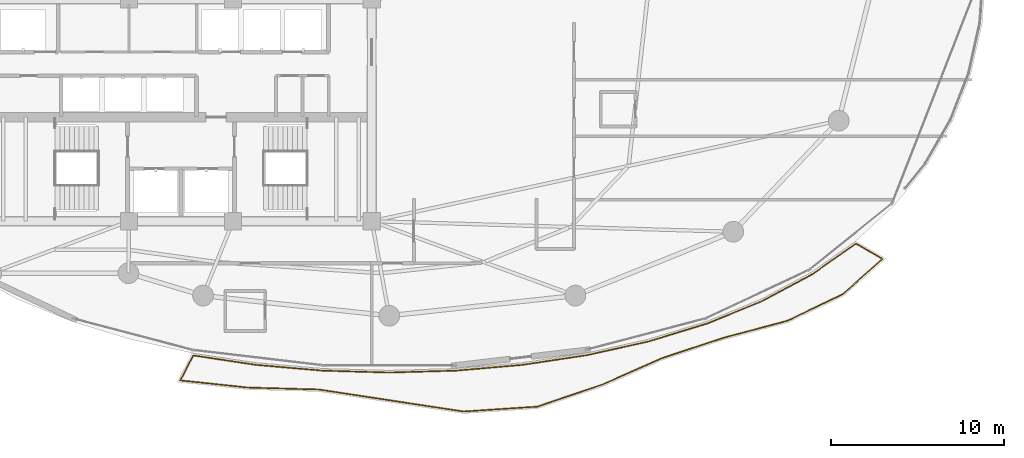
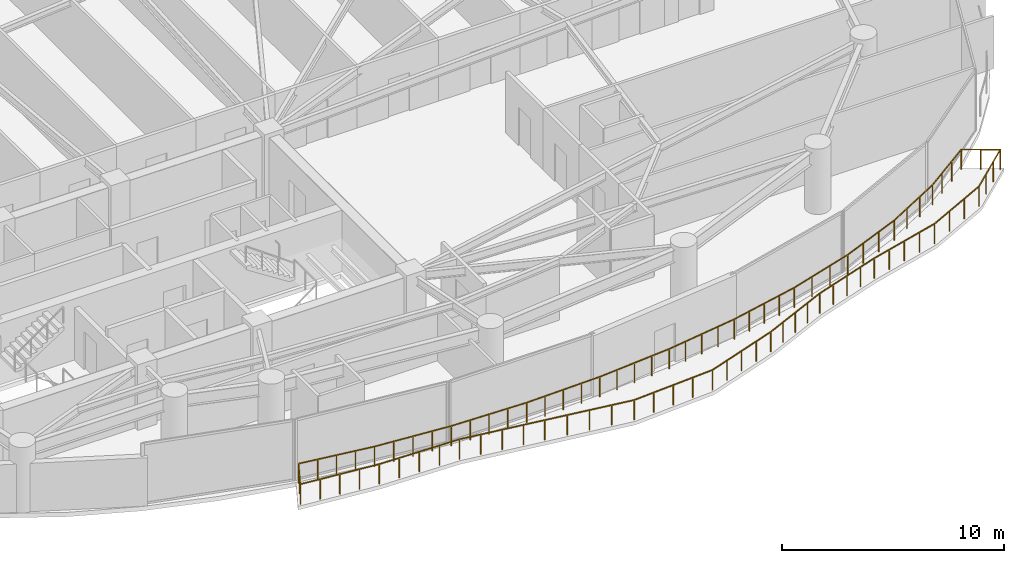
# One storey, part 32 of 34: 1 railing.
"""IFC4 building model written with IfcOpenShell, lengths in metres."""

from ifc_helpers import new_model, si_unit, direction, frame, origin, origin_2d, place, context, subcontext, project, spatial, rectangle, extrude, material, type_object, element, save


model = new_model("IFC4")

# Units and contexts
model_context = context("Model", 3, precision=1e-05, world=origin(), true_north=direction((0.0, 1.0)))
body_context = subcontext(model_context, "Body", "Model", "MODEL_VIEW")
ifc_project = project(units=[si_unit("LENGTHUNIT", "METRE"), si_unit("AREAUNIT", "SQUARE_METRE"), si_unit("VOLUMEUNIT", "CUBIC_METRE"), si_unit("PLANEANGLEUNIT", "RADIAN"), si_unit("MASSUNIT", "GRAM", prefix="KILO")], contexts=[model_context])

# Site, building, storey
site_placement = place(None, origin())
site = spatial("IfcSite", under=ifc_project, at=site_placement, CompositionType="ELEMENT")
building_placement = place(site_placement, origin())
building = spatial("IfcBuilding", under=site, at=building_placement, Name="Kazevale Care Tower and Concert Hall", CompositionType="ELEMENT")
storey_placement = place(building_placement, frame((0.0, 0.0, 163.800048828125)))
storey = spatial("IfcBuildingStorey", under=building, at=storey_placement, Name="L43", CompositionType="ELEMENT", Elevation=163.800048828125)

# Railing
ifc_material = material(Name="Anodised Bronze Aluminium and Laminated Glass", Category="aluminium")
railing_type = type_object("IfcRailingType", Name="Balcony and Terrace Balustrade 1120", PredefinedType="BALUSTRADE", material=ifc_material)
railing_placement = place(storey_placement, frame((33.702880859375, 15.861083984375, 0.0)))
element("IfcRailing", 1, at=railing_placement, inside=storey, type_object=railing_type, Name="rail:L43:balcony", PredefinedType="BALUSTRADE", context=body_context, shape_type="SweptSolid", body=[
    extrude(rectangle(XDim=0.048095703125, YDim=0.048095703125, at=origin_2d()), frame((0.0, 0.0, 1.09619140625), z_axis=(0.988898738041, -0.148591002089, 0.0), x_axis=(0.148591002089, 0.988898738041, 0.0)), (0.0, 0.0, 1.0), 3.6689453125),
    extrude(rectangle(XDim=0.048095703125, YDim=0.048095703125, at=origin_2d()), frame((3.628173828125, -0.545166015625, 1.09619140625), z_axis=(0.996251838222, -0.086500143585, 0.0), x_axis=(0.086500143585, 0.996251838222, 0.0)), (0.0, 0.0, 1.0), 3.824462890625),
    extrude(rectangle(XDim=0.048095703125, YDim=0.048095703125, at=origin_2d()), frame((7.438232421875, -0.8759765625, 1.09619140625), z_axis=(0.999593168995, -0.028521860004, 0.0), x_axis=(0.028521860004, 0.999593168995, 0.0)), (0.0, 0.0, 1.0), 3.8603515625),
    extrude(rectangle(XDim=0.048095703125, YDim=0.048095703125, at=origin_2d()), frame((11.297119140625, -0.986083984375, 1.09619140625), z_axis=(0.999593168995, 0.028521860004, 0.0), x_axis=(-0.028521860004, 0.999593168995, 0.0)), (0.0, 0.0, 1.0), 3.8603515625),
    extrude(rectangle(XDim=0.048095703125, YDim=0.048095703125, at=origin_2d()), frame((15.156005859375, -0.8759765625, 1.09619140625), z_axis=(0.996251838222, 0.086500143585, 0.0), x_axis=(-0.086500143585, 0.996251838222, 0.0)), (0.0, 0.0, 1.0), 3.824462890625),
    extrude(rectangle(XDim=0.048095703125, YDim=0.048095703125, at=origin_2d()), frame((18.966064453125, -0.545166015625, 1.09619140625), z_axis=(0.988903437953, 0.148559719995, 0.0), x_axis=(-0.148559719995, 0.988903437953, 0.0)), (0.0, 0.0, 1.0), 3.7568359375),
    extrude(rectangle(XDim=0.048095703125, YDim=0.048095703125, at=origin_2d()), frame((22.68115234375, 0.012939453125, 1.09619140625), z_axis=(0.9762591871, 0.216605631512, 0.0), x_axis=(-0.216605631512, 0.9762591871, 0.0)), (0.0, 0.0, 1.0), 3.660888671875),
    extrude(rectangle(XDim=0.048095703125, YDim=0.048095703125, at=origin_2d()), frame((26.255126953125, 0.805908203125, 1.09619140625), z_axis=(0.956153868694, 0.292864780028, 0.0), x_axis=(-0.292864780028, 0.956153868694, 0.0)), (0.0, 0.0, 1.0), 3.541259765625),
    extrude(rectangle(XDim=0.048095703125, YDim=0.048095703125, at=origin_2d()), frame((29.64111328125, 1.843017578125, 1.09619140625), z_axis=(0.925821569017, 0.377960874089, 0.0), x_axis=(-0.377960874089, 0.925821569017, 0.0)), (0.0, 0.0, 1.0), 3.409912109375),
    extrude(rectangle(XDim=0.048095703125, YDim=0.048095703125, at=origin_2d()), frame((32.798095703125, 3.1318359375, 1.09619140625), z_axis=(0.881173131857, 0.472793730598, 0.0), x_axis=(-0.472793730598, 0.881173131857, 0.0)), (0.0, 0.0, 1.0), 3.278564453125),
    extrude(rectangle(XDim=0.048095703125, YDim=0.048095703125, at=origin_2d()), frame((35.68701171875, 4.681884765625, 1.09619140625), z_axis=(0.818641866863, 0.574304356435, 0.0), x_axis=(-0.574304356435, 0.818641866863, 0.0)), (0.0, 0.0, 1.0), 3.073486328125),
    extrude(rectangle(XDim=0.048095703125, YDim=0.048095703125, at=origin_2d()), frame((38.203125, 6.447021484375, 1.09619140625), z_axis=(0.865751711592, -0.500473749437, 0.0), x_axis=(0.500473749437, 0.865751711592, 0.0)), (0.0, 0.0, 1.0), 1.762451171875),
    extrude(rectangle(XDim=0.048095703125, YDim=0.048095703125, at=origin_2d()), frame((39.72900390625, 5.56494140625, 1.09619140625), z_axis=(-0.747307756324, -0.664478078899, 0.0), x_axis=(0.664478078899, -0.747307756324, 0.0)), (0.0, 0.0, 1.0), 3.05078125),
    extrude(rectangle(XDim=0.048095703125, YDim=0.048095703125, at=origin_2d()), frame((37.44921875, 3.537841796875, 1.09619140625), z_axis=(-0.901033501171, -0.433749501174, 0.0), x_axis=(0.433749501174, -0.901033501171, 0.0)), (0.0, 0.0, 1.0), 3.552734375),
    extrude(rectangle(XDim=0.048095703125, YDim=0.048095703125, at=origin_2d()), frame((34.248046875, 1.996826171875, 1.09619140625), z_axis=(-0.966339213912, -0.257271303599, 0.0), x_axis=(0.257271303599, -0.966339213912, 0.0)), (0.0, 0.0, 1.0), 3.84423828125),
    extrude(rectangle(XDim=0.048095703125, YDim=0.048095703125, at=origin_2d()), frame((30.533203125, 1.0078125, 1.09619140625), z_axis=(-0.949157301004, -0.314802188605, 0.0), x_axis=(0.314802188605, -0.949157301004, 0.0)), (0.0, 0.0, 1.0), 3.7001953125),
    extrude(rectangle(XDim=0.048095703125, YDim=0.048095703125, at=origin_2d()), frame((27.021240234375, -0.156982421875, 1.09619140625), z_axis=(-0.914312058307, -0.405010444353, 0.0), x_axis=(0.405010444353, -0.914312058307, 0.0)), (0.0, 0.0, 1.0), 3.736083984375),
    extrude(rectangle(XDim=0.048095703125, YDim=0.048095703125, at=origin_2d()), frame((23.605224609375, -1.670166015625, 1.09619140625), z_axis=(-0.946968393013, -0.321326722566, 0.0), x_axis=(0.321326722566, -0.946968393013, 0.0)), (0.0, 0.0, 1.0), 3.98974609375),
    extrude(rectangle(XDim=0.048095703125, YDim=0.048095703125, at=origin_2d()), frame((19.8271484375, -2.9521484375, 1.09619140625), z_axis=(-0.997822153455, -0.065961731889, 0.0), x_axis=(0.065961731889, -0.997822153455, 0.0)), (0.0, 0.0, 1.0), 4.245361328125),
    extrude(rectangle(XDim=0.048095703125, YDim=0.048095703125, at=origin_2d()), frame((15.591064453125, -3.232177734375, 1.09619140625), z_axis=(-0.988670613855, 0.150101356757, 0.0), x_axis=(-0.150101356757, -0.988670613855, 0.0)), (0.0, 0.0, 1.0), 4.324951171875),
    extrude(rectangle(XDim=0.048095703125, YDim=0.048095703125, at=origin_2d()), frame((11.315185546875, -2.5830078125, 1.09619140625), z_axis=(-0.988706215228, 0.149866673978, 0.0), x_axis=(-0.149866673978, -0.988706215228, 0.0)), (0.0, 0.0, 1.0), 4.129638671875),
    extrude(rectangle(XDim=0.048095703125, YDim=0.048095703125, at=origin_2d()), frame((7.232177734375, -1.964111328125, 1.09619140625), z_axis=(-0.999614924432, 0.027748925264, 0.0), x_axis=(-0.027748925264, -0.999614924432, 0.0)), (0.0, 0.0, 1.0), 4.108642578125),
    extrude(rectangle(XDim=0.048095703125, YDim=0.048095703125, at=origin_2d()), frame((3.125, -1.85009765625, 1.09619140625), z_axis=(-0.994398321301, 0.105697580829, 0.0), x_axis=(-0.105697580829, -0.994398321301, 0.0)), (0.0, 0.0, 1.0), 3.8896484375),
    extrude(rectangle(XDim=0.048095703125, YDim=0.048095703125, at=origin_2d()), frame((-0.742919921875, -1.43896484375, 1.09619140625), z_axis=(0.458754280802, 0.888563171556, 0.0), x_axis=(-0.888563171556, 0.458754280802, 0.0)), (0.0, 0.0, 1.0), 1.619384765625),
    extrude(rectangle(XDim=0.0419921875, YDim=0.0419921875, at=origin_2d()), origin(), (0.0, 0.0, 1.0), 1.072021484375),
    extrude(rectangle(XDim=0.0419921875, YDim=0.0419921875, at=origin_2d()), frame((0.906982421875, -0.13623046875, 0.0)), (0.0, 0.0, 1.0), 1.072021484375),
    extrude(rectangle(XDim=0.0419921875, YDim=0.0419921875, at=origin_2d()), frame((1.81396484375, -0.2724609375, 0.0)), (0.0, 0.0, 1.0), 1.072021484375),
    extrude(rectangle(XDim=0.0419921875, YDim=0.0419921875, at=origin_2d()), frame((2.72119140625, -0.408935546875, 0.0)), (0.0, 0.0, 1.0), 1.072021484375),
    extrude(rectangle(XDim=0.0419921875, YDim=0.0419921875, at=origin_2d()), frame((3.628173828125, -0.545166015625, 0.0)), (0.0, 0.0, 1.0), 1.072021484375),
    extrude(rectangle(XDim=0.0419921875, YDim=0.0419921875, at=origin_2d()), frame((4.58056640625, -0.6279296875, 0.0)), (0.0, 0.0, 1.0), 1.072021484375),
    extrude(rectangle(XDim=0.0419921875, YDim=0.0419921875, at=origin_2d()), frame((5.533203125, -0.71044921875, 0.0)), (0.0, 0.0, 1.0), 1.072021484375),
    extrude(rectangle(XDim=0.0419921875, YDim=0.0419921875, at=origin_2d()), frame((6.48583984375, -0.793212890625, 0.0)), (0.0, 0.0, 1.0), 1.072021484375),
    extrude(rectangle(XDim=0.0419921875, YDim=0.0419921875, at=origin_2d()), frame((7.438232421875, -0.8759765625, 0.0)), (0.0, 0.0, 1.0), 1.072021484375),
    extrude(rectangle(XDim=0.0419921875, YDim=0.0419921875, at=origin_2d()), frame((8.40283203125, -0.903564453125, 0.0)), (0.0, 0.0, 1.0), 1.072021484375),
    extrude(rectangle(XDim=0.0419921875, YDim=0.0419921875, at=origin_2d()), frame((9.36767578125, -0.93115234375, 0.0)), (0.0, 0.0, 1.0), 1.072021484375),
    extrude(rectangle(XDim=0.0419921875, YDim=0.0419921875, at=origin_2d()), frame((10.33251953125, -0.95849609375, 0.0)), (0.0, 0.0, 1.0), 1.072021484375),
    extrude(rectangle(XDim=0.0419921875, YDim=0.0419921875, at=origin_2d()), frame((11.297119140625, -0.986083984375, 0.0)), (0.0, 0.0, 1.0), 1.072021484375),
    extrude(rectangle(XDim=0.0419921875, YDim=0.0419921875, at=origin_2d()), frame((12.26171875, -0.95849609375, 0.0)), (0.0, 0.0, 1.0), 1.072021484375),
    extrude(rectangle(XDim=0.0419921875, YDim=0.0419921875, at=origin_2d()), frame((13.2265625, -0.93115234375, 0.0)), (0.0, 0.0, 1.0), 1.072021484375),
    extrude(rectangle(XDim=0.0419921875, YDim=0.0419921875, at=origin_2d()), frame((14.19140625, -0.903564453125, 0.0)), (0.0, 0.0, 1.0), 1.072021484375),
    extrude(rectangle(XDim=0.0419921875, YDim=0.0419921875, at=origin_2d()), frame((15.156005859375, -0.8759765625, 0.0)), (0.0, 0.0, 1.0), 1.072021484375),
    extrude(rectangle(XDim=0.0419921875, YDim=0.0419921875, at=origin_2d()), frame((16.1083984375, -0.793212890625, 0.0)), (0.0, 0.0, 1.0), 1.072021484375),
    extrude(rectangle(XDim=0.0419921875, YDim=0.0419921875, at=origin_2d()), frame((17.06103515625, -0.71044921875, 0.0)), (0.0, 0.0, 1.0), 1.072021484375),
    extrude(rectangle(XDim=0.0419921875, YDim=0.0419921875, at=origin_2d()), frame((18.013671875, -0.6279296875, 0.0)), (0.0, 0.0, 1.0), 1.072021484375),
    extrude(rectangle(XDim=0.0419921875, YDim=0.0419921875, at=origin_2d()), frame((18.966064453125, -0.545166015625, 0.0)), (0.0, 0.0, 1.0), 1.072021484375),
    extrude(rectangle(XDim=0.0419921875, YDim=0.0419921875, at=origin_2d()), frame((19.894775390625, -0.40576171875, 0.0)), (0.0, 0.0, 1.0), 1.072021484375),
    extrude(rectangle(XDim=0.0419921875, YDim=0.0419921875, at=origin_2d()), frame((20.82373046875, -0.26611328125, 0.0)), (0.0, 0.0, 1.0), 1.072021484375),
    extrude(rectangle(XDim=0.0419921875, YDim=0.0419921875, at=origin_2d()), frame((21.75244140625, -0.12646484375, 0.0)), (0.0, 0.0, 1.0), 1.072021484375),
    extrude(rectangle(XDim=0.0419921875, YDim=0.0419921875, at=origin_2d()), frame((22.68115234375, 0.012939453125, 0.0)), (0.0, 0.0, 1.0), 1.072021484375),
    extrude(rectangle(XDim=0.0419921875, YDim=0.0419921875, at=origin_2d()), frame((23.57470703125, 0.211181640625, 0.0)), (0.0, 0.0, 1.0), 1.072021484375),
    extrude(rectangle(XDim=0.0419921875, YDim=0.0419921875, at=origin_2d()), frame((24.46826171875, 0.409423828125, 0.0)), (0.0, 0.0, 1.0), 1.072021484375),
    extrude(rectangle(XDim=0.0419921875, YDim=0.0419921875, at=origin_2d()), frame((25.361572265625, 0.607666015625, 0.0)), (0.0, 0.0, 1.0), 1.072021484375),
    extrude(rectangle(XDim=0.0419921875, YDim=0.0419921875, at=origin_2d()), frame((26.255126953125, 0.805908203125, 0.0)), (0.0, 0.0, 1.0), 1.072021484375),
    extrude(rectangle(XDim=0.0419921875, YDim=0.0419921875, at=origin_2d()), frame((27.3837890625, 1.151611328125, 0.0)), (0.0, 0.0, 1.0), 1.072021484375),
    extrude(rectangle(XDim=0.0419921875, YDim=0.0419921875, at=origin_2d()), frame((28.512451171875, 1.497314453125, 0.0)), (0.0, 0.0, 1.0), 1.072021484375),
    extrude(rectangle(XDim=0.0419921875, YDim=0.0419921875, at=origin_2d()), frame((29.64111328125, 1.843017578125, 0.0)), (0.0, 0.0, 1.0), 1.072021484375),
    extrude(rectangle(XDim=0.0419921875, YDim=0.0419921875, at=origin_2d()), frame((30.693359375, 2.272705078125, 0.0)), (0.0, 0.0, 1.0), 1.072021484375),
    extrude(rectangle(XDim=0.0419921875, YDim=0.0419921875, at=origin_2d()), frame((31.745849609375, 2.7021484375, 0.0)), (0.0, 0.0, 1.0), 1.072021484375),
    extrude(rectangle(XDim=0.0419921875, YDim=0.0419921875, at=origin_2d()), frame((32.798095703125, 3.1318359375, 0.0)), (0.0, 0.0, 1.0), 1.072021484375),
    extrude(rectangle(XDim=0.0419921875, YDim=0.0419921875, at=origin_2d()), frame((33.760986328125, 3.6484375, 0.0)), (0.0, 0.0, 1.0), 1.072021484375),
    extrude(rectangle(XDim=0.0419921875, YDim=0.0419921875, at=origin_2d()), frame((34.72412109375, 4.165283203125, 0.0)), (0.0, 0.0, 1.0), 1.072021484375),
    extrude(rectangle(XDim=0.0419921875, YDim=0.0419921875, at=origin_2d()), frame((35.68701171875, 4.681884765625, 0.0)), (0.0, 0.0, 1.0), 1.072021484375),
    extrude(rectangle(XDim=0.0419921875, YDim=0.0419921875, at=origin_2d()), frame((36.525634765625, 5.270263671875, 0.0)), (0.0, 0.0, 1.0), 1.072021484375),
    extrude(rectangle(XDim=0.0419921875, YDim=0.0419921875, at=origin_2d()), frame((37.364501953125, 5.858642578125, 0.0)), (0.0, 0.0, 1.0), 1.072021484375),
    extrude(rectangle(XDim=0.0419921875, YDim=0.0419921875, at=origin_2d()), frame((38.203125, 6.447021484375, 0.0)), (0.0, 0.0, 1.0), 1.072021484375),
    extrude(rectangle(XDim=0.0419921875, YDim=0.0419921875, at=origin_2d()), frame((38.966064453125, 6.005859375, 0.0)), (0.0, 0.0, 1.0), 1.072021484375),
    extrude(rectangle(XDim=0.0419921875, YDim=0.0419921875, at=origin_2d()), frame((39.72900390625, 5.56494140625, 0.0)), (0.0, 0.0, 1.0), 1.072021484375),
    extrude(rectangle(XDim=0.0419921875, YDim=0.0419921875, at=origin_2d()), frame((38.968994140625, 4.88916015625, 0.0)), (0.0, 0.0, 1.0), 1.072021484375),
    extrude(rectangle(XDim=0.0419921875, YDim=0.0419921875, at=origin_2d()), frame((38.209228515625, 4.213623046875, 0.0)), (0.0, 0.0, 1.0), 1.072021484375),
    extrude(rectangle(XDim=0.0419921875, YDim=0.0419921875, at=origin_2d()), frame((37.44921875, 3.537841796875, 0.0)), (0.0, 0.0, 1.0), 1.072021484375),
    extrude(rectangle(XDim=0.0419921875, YDim=0.0419921875, at=origin_2d()), frame((36.382080078125, 3.024169921875, 0.0)), (0.0, 0.0, 1.0), 1.072021484375),
    extrude(rectangle(XDim=0.0419921875, YDim=0.0419921875, at=origin_2d()), frame((35.315185546875, 2.510498046875, 0.0)), (0.0, 0.0, 1.0), 1.072021484375),
    extrude(rectangle(XDim=0.0419921875, YDim=0.0419921875, at=origin_2d()), frame((34.248046875, 1.996826171875, 0.0)), (0.0, 0.0, 1.0), 1.072021484375),
    extrude(rectangle(XDim=0.0419921875, YDim=0.0419921875, at=origin_2d()), frame((33.3193359375, 1.74951171875, 0.0)), (0.0, 0.0, 1.0), 1.072021484375),
    extrude(rectangle(XDim=0.0419921875, YDim=0.0419921875, at=origin_2d()), frame((32.390625, 1.50244140625, 0.0)), (0.0, 0.0, 1.0), 1.072021484375),
    extrude(rectangle(XDim=0.0419921875, YDim=0.0419921875, at=origin_2d()), frame((31.4619140625, 1.255126953125, 0.0)), (0.0, 0.0, 1.0), 1.072021484375),
    extrude(rectangle(XDim=0.0419921875, YDim=0.0419921875, at=origin_2d()), frame((30.533203125, 1.0078125, 0.0)), (0.0, 0.0, 1.0), 1.072021484375),
    extrude(rectangle(XDim=0.0419921875, YDim=0.0419921875, at=origin_2d()), frame((29.6552734375, 0.716552734375, 0.0)), (0.0, 0.0, 1.0), 1.072021484375),
    extrude(rectangle(XDim=0.0419921875, YDim=0.0419921875, at=origin_2d()), frame((28.77734375, 0.42529296875, 0.0)), (0.0, 0.0, 1.0), 1.072021484375),
    extrude(rectangle(XDim=0.0419921875, YDim=0.0419921875, at=origin_2d()), frame((27.899169921875, 0.13427734375, 0.0)), (0.0, 0.0, 1.0), 1.072021484375),
    extrude(rectangle(XDim=0.0419921875, YDim=0.0419921875, at=origin_2d()), frame((27.021240234375, -0.156982421875, 0.0)), (0.0, 0.0, 1.0), 1.072021484375),
    extrude(rectangle(XDim=0.0419921875, YDim=0.0419921875, at=origin_2d()), frame((26.167236328125, -0.53515625, 0.0)), (0.0, 0.0, 1.0), 1.072021484375),
    extrude(rectangle(XDim=0.0419921875, YDim=0.0419921875, at=origin_2d()), frame((25.313232421875, -0.91357421875, 0.0)), (0.0, 0.0, 1.0), 1.072021484375),
    extrude(rectangle(XDim=0.0419921875, YDim=0.0419921875, at=origin_2d()), frame((24.459228515625, -1.2919921875, 0.0)), (0.0, 0.0, 1.0), 1.072021484375),
    extrude(rectangle(XDim=0.0419921875, YDim=0.0419921875, at=origin_2d()), frame((23.605224609375, -1.670166015625, 0.0)), (0.0, 0.0, 1.0), 1.072021484375),
    extrude(rectangle(XDim=0.0419921875, YDim=0.0419921875, at=origin_2d()), frame((22.66064453125, -1.99072265625, 0.0)), (0.0, 0.0, 1.0), 1.072021484375),
    extrude(rectangle(XDim=0.0419921875, YDim=0.0419921875, at=origin_2d()), frame((21.71630859375, -2.31103515625, 0.0)), (0.0, 0.0, 1.0), 1.072021484375),
    extrude(rectangle(XDim=0.0419921875, YDim=0.0419921875, at=origin_2d()), frame((20.771728515625, -2.631591796875, 0.0)), (0.0, 0.0, 1.0), 1.072021484375),
    extrude(rectangle(XDim=0.0419921875, YDim=0.0419921875, at=origin_2d()), frame((19.8271484375, -2.9521484375, 0.0)), (0.0, 0.0, 1.0), 1.072021484375),
    extrude(rectangle(XDim=0.0419921875, YDim=0.0419921875, at=origin_2d()), frame((18.76806640625, -3.022216796875, 0.0)), (0.0, 0.0, 1.0), 1.072021484375),
    extrude(rectangle(XDim=0.0419921875, YDim=0.0419921875, at=origin_2d()), frame((17.708984375, -3.09228515625, 0.0)), (0.0, 0.0, 1.0), 1.072021484375),
    extrude(rectangle(XDim=0.0419921875, YDim=0.0419921875, at=origin_2d()), frame((16.650146484375, -3.162109375, 0.0)), (0.0, 0.0, 1.0), 1.072021484375),
    extrude(rectangle(XDim=0.0419921875, YDim=0.0419921875, at=origin_2d()), frame((15.591064453125, -3.232177734375, 0.0)), (0.0, 0.0, 1.0), 1.072021484375),
    extrude(rectangle(XDim=0.0419921875, YDim=0.0419921875, at=origin_2d()), frame((14.52197265625, -3.06982421875, 0.0)), (0.0, 0.0, 1.0), 1.072021484375),
    extrude(rectangle(XDim=0.0419921875, YDim=0.0419921875, at=origin_2d()), frame((13.453125, -2.90771484375, 0.0)), (0.0, 0.0, 1.0), 1.072021484375),
    extrude(rectangle(XDim=0.0419921875, YDim=0.0419921875, at=origin_2d()), frame((12.38427734375, -2.745361328125, 0.0)), (0.0, 0.0, 1.0), 1.072021484375),
    extrude(rectangle(XDim=0.0419921875, YDim=0.0419921875, at=origin_2d()), frame((11.315185546875, -2.5830078125, 0.0)), (0.0, 0.0, 1.0), 1.072021484375),
    extrude(rectangle(XDim=0.0419921875, YDim=0.0419921875, at=origin_2d()), frame((10.29443359375, -2.42822265625, 0.0)), (0.0, 0.0, 1.0), 1.072021484375),
    extrude(rectangle(XDim=0.0419921875, YDim=0.0419921875, at=origin_2d()), frame((9.273681640625, -2.2734375, 0.0)), (0.0, 0.0, 1.0), 1.072021484375),
    extrude(rectangle(XDim=0.0419921875, YDim=0.0419921875, at=origin_2d()), frame((8.2529296875, -2.118896484375, 0.0)), (0.0, 0.0, 1.0), 1.072021484375),
    extrude(rectangle(XDim=0.0419921875, YDim=0.0419921875, at=origin_2d()), frame((7.232177734375, -1.964111328125, 0.0)), (0.0, 0.0, 1.0), 1.072021484375),
    extrude(rectangle(XDim=0.0419921875, YDim=0.0419921875, at=origin_2d()), frame((6.205322265625, -1.935546875, 0.0)), (0.0, 0.0, 1.0), 1.072021484375),
    extrude(rectangle(XDim=0.0419921875, YDim=0.0419921875, at=origin_2d()), frame((5.1787109375, -1.9072265625, 0.0)), (0.0, 0.0, 1.0), 1.072021484375),
    extrude(rectangle(XDim=0.0419921875, YDim=0.0419921875, at=origin_2d()), frame((4.15185546875, -1.878662109375, 0.0)), (0.0, 0.0, 1.0), 1.072021484375),
    extrude(rectangle(XDim=0.0419921875, YDim=0.0419921875, at=origin_2d()), frame((3.125, -1.85009765625, 0.0)), (0.0, 0.0, 1.0), 1.072021484375),
    extrude(rectangle(XDim=0.0419921875, YDim=0.0419921875, at=origin_2d()), frame((2.157958984375, -1.747314453125, 0.0)), (0.0, 0.0, 1.0), 1.072021484375),
    extrude(rectangle(XDim=0.0419921875, YDim=0.0419921875, at=origin_2d()), frame((1.19091796875, -1.64453125, 0.0)), (0.0, 0.0, 1.0), 1.072021484375),
    extrude(rectangle(XDim=0.0419921875, YDim=0.0419921875, at=origin_2d()), frame((0.22412109375, -1.541748046875, 0.0)), (0.0, 0.0, 1.0), 1.072021484375),
    extrude(rectangle(XDim=0.0419921875, YDim=0.0419921875, at=origin_2d()), frame((-0.742919921875, -1.43896484375, 0.0)), (0.0, 0.0, 1.0), 1.072021484375),
    extrude(rectangle(XDim=0.0419921875, YDim=0.0419921875, at=origin_2d()), frame((-0.37158203125, -0.719482421875, 0.0)), (0.0, 0.0, 1.0), 1.072021484375),
])

save(model, "model.ifc")
